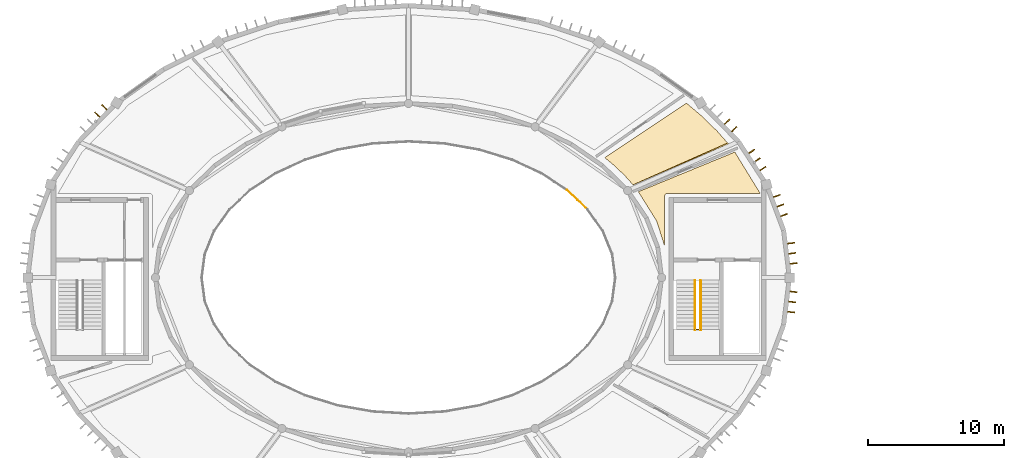
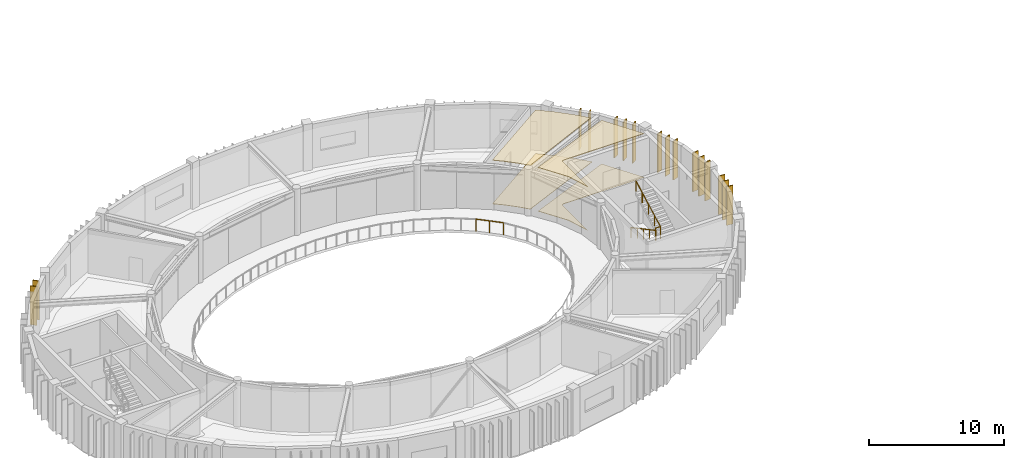
# One storey, part 26 of 29: 16 shading devices, 4 coverings, 4 railings.
"""IFC4 building model written with IfcOpenShell, lengths in metres."""

from ifc_helpers import new_model, si_unit, direction, frame, origin, origin_2d, place, context, subcontext, project, spatial, polyline, rectangle, circle, outline, extrude, material, layer, layer_set, type_object, element, save


model = new_model("IFC4")

# Units and contexts
model_context = context("Model", 3, precision=1e-05, world=origin(), true_north=direction((0.0, 1.0)))
body_context = subcontext(model_context, "Body", "Model", "MODEL_VIEW")
ifc_project = project(units=[si_unit("LENGTHUNIT", "METRE"), si_unit("AREAUNIT", "SQUARE_METRE"), si_unit("VOLUMEUNIT", "CUBIC_METRE"), si_unit("PLANEANGLEUNIT", "RADIAN"), si_unit("MASSUNIT", "GRAM", prefix="KILO")], contexts=[model_context])

# Site, building, storey
site_placement = place(None, origin())
site = spatial("IfcSite", under=ifc_project, at=site_placement, CompositionType="ELEMENT")
building_placement = place(site_placement, origin())
building = spatial("IfcBuilding", under=site, at=building_placement, Name="Tarnveldt Headland Concert Hall", CompositionType="ELEMENT")
storey_placement = place(building_placement, frame((0.0, 0.0, 18.60009765625)))
storey = spatial("IfcBuildingStorey", under=building, at=storey_placement, Name="L04", CompositionType="ELEMENT", Elevation=18.60009765625)

# Coverings
ifc_material_1 = material(Name="Micro-perforated mvule acoustic ceiling panel", Category="timber")
ifc_layer_1 = layer(ifc_material_1, 0.050048828125, Name="Micro-perforated mvule acoustic ceiling panel", Category="timber")
ifc_layer_set_1 = layer_set([ifc_layer_1], Name="Micro-perforated mvule acoustic ceiling panel")
covering_type_1 = type_object("IfcCoveringType", Name="CV-CEIL50", PredefinedType="CEILING", material=ifc_layer_set_1)
covering_1_placement = place(storey_placement, frame((0.0, 0.0, 3.929931640625)))
element("IfcCovering", 1, at=covering_1_placement, inside=storey, type_object=covering_type_1, Name="Acoustic mvule ceiling L04-07-333", PredefinedType="CEILING", context=body_context, shape_type="SweptSolid", body=[
    extrude(outline(polyline([(101.72998046875, 58.661376953125), (101.72265625, 58.674560546875), (100.383544921875, 60.814208984375), (107.478759765625, 63.72900390625), (109.348388671875, 60.679931640625), (102.5, 60.679931640625), (102.482421875, 60.67919921875), (102.46484375, 60.676513671875), (102.44775390625, 60.672119140625), (102.43115234375, 60.666259765625), (102.4150390625, 60.65869140625), (102.39990234375, 60.649658203125), (102.3857421875, 60.63916015625), (102.372802734375, 60.627197265625), (102.36083984375, 60.6142578125), (102.350341796875, 60.60009765625), (102.34130859375, 60.5849609375), (102.333740234375, 60.56884765625), (102.327880859375, 60.55224609375), (102.323486328125, 60.53515625), (102.32080078125, 60.517578125), (102.320068359375, 60.5), (102.320068359375, 56.821044921875), (101.74169921875, 58.6337890625), (101.736328125, 58.647705078125), (101.72998046875, 58.661376953125)])), origin(), (0.0, 0.0, 1.0), 0.050048828125),
])
covering_2_placement = place(storey_placement, frame((0.0, 0.0, 3.929931640625)))
element("IfcCovering", 2, at=covering_2_placement, inside=storey, type_object=covering_type_1, Name="Acoustic mvule ceiling L04-08-334", PredefinedType="CEILING", context=body_context, shape_type="SweptSolid", body=[
    extrude(outline(polyline([(99.376220703125, 62.011474609375), (98.5966796875, 62.7568359375), (98.5869140625, 62.765380859375), (97.9208984375, 63.31689453125), (103.923828125, 67.322998046875), (105.04931640625, 66.3720703125), (106.16796875, 65.2802734375), (106.946533203125, 64.396728515625), (99.99609375, 61.322998046875), (99.385498046875, 62.001708984375), (99.376220703125, 62.011474609375)])), origin(), (0.0, 0.0, 1.0), 0.050048828125),
])
ifc_material_2 = material(Name="Polished coral-aggregate cementitious terrazzo flooring", Category="concrete")
ifc_layer_2 = layer(ifc_material_2, 0.034912109375, Name="Polished coral-aggregate cementitious terrazzo flooring", Category="concrete")
ifc_layer_set_2 = layer_set([ifc_layer_2], Name="Polished coral-aggregate cementitious terrazzo flooring")
covering_type_2 = type_object("IfcCoveringType", Name="CV-FLOR35", PredefinedType="FLOORING", material=ifc_layer_set_2)
covering_3_placement = place(storey_placement, origin())
element("IfcCovering", 3, at=covering_3_placement, inside=storey, type_object=covering_type_2, Name="Architectural flooring L04-07-118", PredefinedType="FLOORING", context=body_context, shape_type="SweptSolid", body=[
    extrude(outline(polyline([(101.736328125, 58.647705078125), (101.72998046875, 58.661376953125), (101.72265625, 58.674560546875), (100.383544921875, 60.814208984375), (107.478759765625, 63.72900390625), (109.348388671875, 60.679931640625), (102.5, 60.679931640625), (102.482421875, 60.67919921875), (102.46484375, 60.676513671875), (102.44775390625, 60.672119140625), (102.43115234375, 60.666259765625), (102.4150390625, 60.65869140625), (102.39990234375, 60.649658203125), (102.3857421875, 60.63916015625), (102.372802734375, 60.627197265625), (102.36083984375, 60.6142578125), (102.350341796875, 60.60009765625), (102.34130859375, 60.5849609375), (102.333740234375, 60.56884765625), (102.327880859375, 60.55224609375), (102.323486328125, 60.53515625), (102.32080078125, 60.517578125), (102.320068359375, 60.5), (102.320068359375, 56.821044921875), (101.74169921875, 58.6337890625), (101.736328125, 58.647705078125)])), origin(), (0.0, 0.0, 1.0), 0.034912109375),
])
covering_4_placement = place(storey_placement, origin())
element("IfcCovering", 4, at=covering_4_placement, inside=storey, type_object=covering_type_2, Name="Architectural flooring L04-08-119", PredefinedType="FLOORING", context=body_context, shape_type="SweptSolid", body=[
    extrude(outline(polyline([(100.002197265625, 61.316162109375), (99.385498046875, 62.001708984375), (99.376220703125, 62.011474609375), (98.5966796875, 62.7568359375), (98.5869140625, 62.765380859375), (97.9208984375, 63.31689453125), (103.923828125, 67.322998046875), (105.04931640625, 66.3720703125), (106.16796875, 65.2802734375), (107.01611328125, 64.317626953125), (100.002197265625, 61.316162109375)])), origin(), (0.0, 0.0, 1.0), 0.034912109375),
])

# Railings
ifc_material_3 = material(Name="Marine stainless steel", Category="steel")
ifc_layer_3 = layer(ifc_material_3, 0.06005859375, Name="Marine stainless steel", Category="steel")
ifc_layer_set_3 = layer_set([ifc_layer_3], Name="Marine stainless steel")
railing_type_1 = type_object("IfcRailingType", Name="RL-GRD110", PredefinedType="GUARDRAIL", material=ifc_layer_set_3)
railing_1_placement = place(storey_placement, frame((104.550048828125, 50.679931640625, 2.099853515625)))
element("IfcRailing", 5, at=railing_1_placement, inside=storey, type_object=railing_type_1, Name="GUARD STR-C2-L04 half-landing well", PredefinedType="GUARDRAIL", context=body_context, shape_type="SweptSolid", body=[
    extrude(circle(Radius=0.02392578125, at=origin_2d()), frame((0.0, 0.0, 1.076171875), z_axis=(1.0, 0.0, 0.0), x_axis=(0.0, 1.0, 0.0)), (0.0, 0.0, 1.0), 0.419921875),
    extrude(circle(Radius=0.02099609375, at=origin_2d()), origin(), (0.0, 0.0, 1.0), 1.052001953125),
    extrude(circle(Radius=0.02099609375, at=origin_2d()), frame((0.419921875, 0.0, 0.0)), (0.0, 0.0, 1.0), 1.052001953125),
])
railing_2_placement = place(storey_placement, frame((96.66357421875, 59.5, 0.0)))
element("IfcRailing", 6, at=railing_2_placement, inside=storey, type_object=railing_type_1, Name="GUARD Auditorium void guardrail L04 4", PredefinedType="GUARDRAIL", context=body_context, shape_type="SweptSolid", body=[
    extrude(circle(Radius=0.02392578125, at=origin_2d()), frame((0.0, 0.0, 1.076171875), z_axis=(-0.728773712747, 0.684754609776, 0.0), x_axis=(-0.684754609776, -0.728773712747, 0.0)), (0.0, 0.0, 1.0), 2.08544921875),
    extrude(circle(Radius=0.02099609375, at=origin_2d()), origin(), (0.0, 0.0, 1.0), 1.052001953125),
    extrude(circle(Radius=0.02099609375, at=origin_2d()), frame((-0.759765625, 0.7138671875, 0.0)), (0.0, 0.0, 1.0), 1.052001953125),
    extrude(circle(Radius=0.02099609375, at=origin_2d()), frame((-1.519775390625, 1.427978515625, 0.0)), (0.0, 0.0, 1.0), 1.052001953125),
])
ifc_layer_4 = layer(ifc_material_3, 0.048095703125, Name="Marine stainless steel", Category="steel")
ifc_layer_set_4 = layer_set([ifc_layer_4], Name="Marine stainless steel")
railing_type_2 = type_object("IfcRailingType", Name="RL-HND092", PredefinedType="HANDRAIL", material=ifc_layer_set_4)
railing_3_placement = place(storey_placement, frame((104.550048828125, 54.280029296875, 0.14990234375)))
element("IfcRailing", 7, at=railing_3_placement, inside=storey, type_object=railing_type_2, Name="HANDRAIL STR-C2-L04 flight 1", PredefinedType="HANDRAIL", context=body_context, shape_type="SweptSolid", body=[
    extrude(circle(Radius=0.02392578125, at=origin_2d()), frame((0.0, 0.0, 0.89599609375), z_axis=(0.0, -0.881492274372, 0.472198443689), x_axis=(1.0, 0.0, 0.0)), (0.0, 0.0, 1.0), 4.12939453125),
    extrude(circle(Radius=0.02099609375, at=origin_2d()), origin(), (0.0, 0.0, 1.0), 0.871826171875),
    extrude(circle(Radius=0.02099609375, at=origin_2d()), frame((0.0, -0.91015625, 0.487548828125)), (0.0, 0.0, 1.0), 0.871826171875),
    extrude(circle(Radius=0.02099609375, at=origin_2d()), frame((0.0, -1.820068359375, 0.97509765625)), (0.0, 0.0, 1.0), 0.871826171875),
    extrude(circle(Radius=0.02099609375, at=origin_2d()), frame((0.0, -2.72998046875, 1.46240234375)), (0.0, 0.0, 1.0), 0.871826171875),
    extrude(circle(Radius=0.02099609375, at=origin_2d()), frame((0.0, -3.64013671875, 1.949951171875)), (0.0, 0.0, 1.0), 0.871826171875),
])
railing_4_placement = place(storey_placement, frame((104.969970703125, 50.639892578125, 2.25)))
element("IfcRailing", 8, at=railing_4_placement, inside=storey, type_object=railing_type_2, Name="HANDRAIL STR-C2-L04 flight 2", PredefinedType="HANDRAIL", context=body_context, shape_type="SweptSolid", body=[
    extrude(circle(Radius=0.02392578125, at=origin_2d()), frame((0.0, 0.0, 0.89599609375), z_axis=(0.0, 0.881492274372, 0.472198443689), x_axis=(-1.0, 0.0, 0.0)), (0.0, 0.0, 1.0), 4.12939453125),
    extrude(circle(Radius=0.02099609375, at=origin_2d()), origin(), (0.0, 0.0, 1.0), 0.871826171875),
    extrude(circle(Radius=0.02099609375, at=origin_2d()), frame((0.0, 0.91015625, 0.487548828125)), (0.0, 0.0, 1.0), 0.871826171875),
    extrude(circle(Radius=0.02099609375, at=origin_2d()), frame((0.0, 1.820068359375, 0.97509765625)), (0.0, 0.0, 1.0), 0.871826171875),
    extrude(circle(Radius=0.02099609375, at=origin_2d()), frame((0.0, 2.72998046875, 1.46240234375)), (0.0, 0.0, 1.0), 0.871826171875),
    extrude(circle(Radius=0.02099609375, at=origin_2d()), frame((0.0, 3.64013671875, 1.949951171875)), (0.0, 0.0, 1.0), 0.871826171875),
])

# Shading devices
ifc_material_4 = material(Name="Terracotta-anodised aluminium EN AW-6063-T6", Category="masonry")
shading_device_type = type_object("IfcShadingDeviceType", Name="SD-FIN520", PredefinedType="USERDEFINED", material=ifc_material_4)
for number, where, z_axis, x_axis, name in (
    (9, (111.79296875, 55.542724609375, 0.25), (0.0, 0.0, 1.0), (0.992588631597, 0.121522872021, 0.0), "Drum terracotta acoustic solar fin L04-96"),
    (10, (111.70166015625, 56.287353515625, 0.25), (0.0, 0.0, 1.0), (0.992588631597, 0.121522872021, 0.0), "Drum terracotta acoustic solar fin L04-97"),
    (11, (111.610595703125, 57.03173828125, 0.25), (0.0, 0.0, 1.0), (0.992588631597, 0.121522872021, 0.0), "Drum terracotta acoustic solar fin L04-98"),
    (12, (111.097412109375, 59.10107421875, 0.25), (0.0, 0.0, 1.0), (0.936304939415, 0.35118806988, 0.0), "Drum terracotta acoustic solar fin L04-99"),
    (13, (110.833984375, 59.80322265625, 0.25), (0.0, 0.0, 1.0), (0.936304939415, 0.35118806988, 0.0), "Drum terracotta acoustic solar fin L04-100"),
    (14, (110.570556640625, 60.505615234375, 0.25), (0.0, 0.0, 1.0), (0.936304939415, 0.35118806988, 0.0), "Drum terracotta acoustic solar fin L04-101"),
    (15, (109.53955078125, 62.5205078125, 0.25), (0.0, 0.0, 1.0), (0.837337261414, 0.546686665878, 0.0), "Drum terracotta acoustic solar fin L04-102"),
    (16, (109.129638671875, 63.1484375, 0.25), (0.0, 0.0, 1.0), (0.837337261414, 0.546686665878, 0.0), "Drum terracotta acoustic solar fin L04-103"),
    (17, (108.7197265625, 63.7763671875, 0.25), (0.0, 0.0, 1.0), (0.837337261414, 0.546686665878, 0.0), "Drum terracotta acoustic solar fin L04-104"),
    (18, (107.4345703125, 65.416748046875, 0.25), (0.0, 0.0, 1.0), (0.714106238843, 0.700037341608, 0.0), "Drum terracotta acoustic solar fin L04-105"),
    (19, (106.90966796875, 65.952392578125, 0.25), (0.0, 0.0, 1.0), (0.714106238843, 0.700037341608, 0.0), "Drum terracotta acoustic solar fin L04-106"),
    (20, (61.140380859375, 67.0234375, 0.25), (0.0, 0.0, 1.0), (-0.714106238843, 0.700037341608, 0.0), "Drum terracotta acoustic solar fin L04-137"),
    (21, (60.615478515625, 66.488037109375, 0.25), (0.0, 0.0, 1.0), (-0.714106238843, 0.700037341608, 0.0), "Drum terracotta acoustic solar fin L04-138"),
    (22, (111.610595703125, 51.96826171875, 0.25), (0.0, 0.0, 1.0), (0.992588631597, -0.121522872021, 0.0), "Drum terracotta acoustic solar fin L04-201"),
    (23, (111.70166015625, 52.712646484375, 0.25), (0.0, 0.0, 1.0), (0.992588631597, -0.121522872021, 0.0), "Drum terracotta acoustic solar fin L04-202"),
    (24, (111.79296875, 53.457275390625, 0.25), (0.0, 0.0, 1.0), (0.992588631597, -0.121522872021, 0.0), "Drum terracotta acoustic solar fin L04-203"),
):
    element("IfcShadingDevice", number, at=place(storey_placement, frame(where, z_axis=z_axis, x_axis=x_axis)), inside=storey, type_object=shading_device_type, Name=name, ObjectType="FIN", PredefinedType="USERDEFINED", context=body_context, shape_type="SweptSolid", body=[
        extrude(rectangle(XDim=0.52001953125, YDim=0.080078125, at=origin_2d()), origin(), (0.0, 0.0, 1.0), 3.5),
    ])

save(model, "model.ifc")
